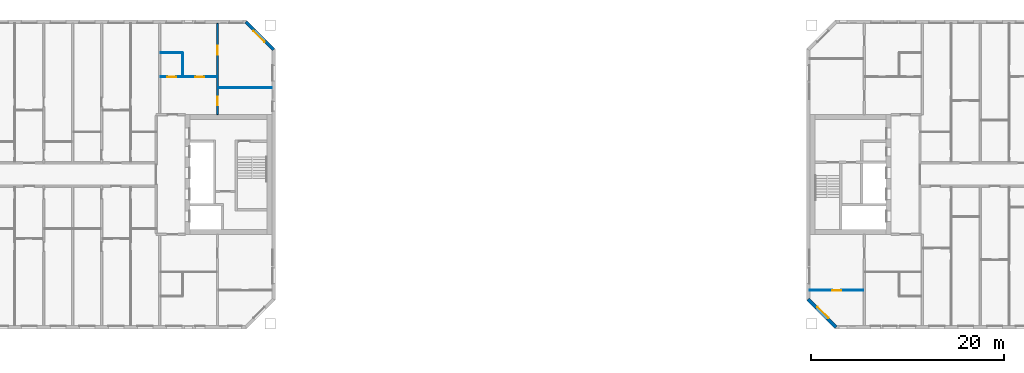
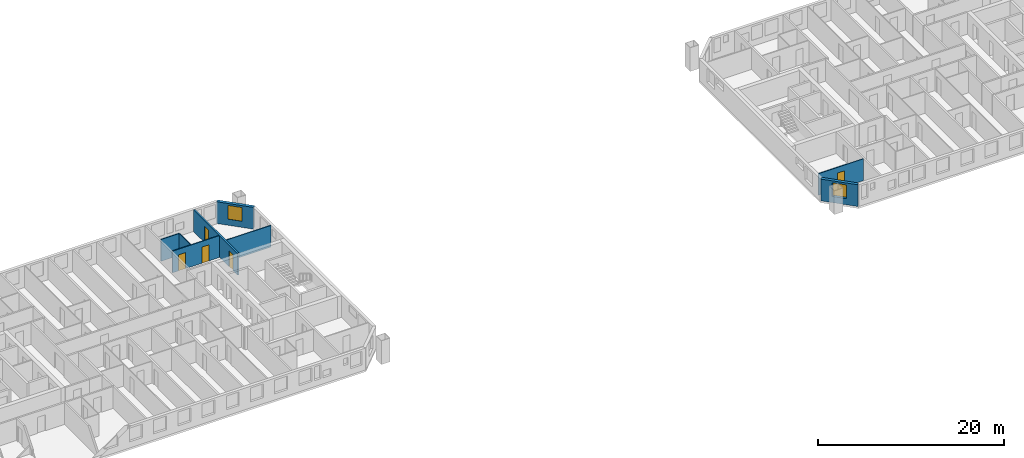
# One storey, part 8 of 16: 8 walls, 5 doors, 2 windows, 7 openings.
"""IFC4 building model written with IfcOpenShell, lengths in metres."""

import ifcopenshell
import ifcopenshell.guid

model = None  # the IFC model being written
_history = None  # IfcOwnerHistory: only IFC2X3 demands one
_inside = {}  # id of a spatial element -> (the spatial element, [elements in it])
_under = {}  # id of a project, library or spatial element -> (it, [spatial elements below it])
_declared = {}  # id of a project -> (the project, [libraries it declares])
_typed = {}  # id of a type object -> (the type object, [elements of that type])
_made_of = {}  # id of a material, layer set ... -> (it, [elements and type objects made of it])


def new_model(schema):
    """Start an empty IFC model of exactly this schema.

    Asked for "IFC4X3", IfcOpenShell would pick the latest addendum, in which some entities
    have other attributes; the version numbers below select the first issue.
    IFC2X3 requires an IfcOwnerHistory on every rooted entity: one is made here for all.
    """
    global model, _history
    if schema == "IFC4X3":
        model = ifcopenshell.file(schema_version=(4, 3, 0, 0))
    else:
        model = ifcopenshell.file(schema=schema)
    _inside.clear()
    _under.clear()
    _declared.clear()
    _typed.clear()
    _made_of.clear()
    _history = None
    if model.schema == "IFC2X3":
        org = make("IfcOrganization", Name="unknown")
        user = make(
            "IfcPersonAndOrganization",
            ThePerson=make("IfcPerson", FamilyName="unknown"),
            TheOrganization=org,
        )
        app = make(
            "IfcApplication",
            ApplicationDeveloper=org,
            Version="unknown",
            ApplicationFullName="unknown",
            ApplicationIdentifier="unknown",
        )
        _history = make(
            "IfcOwnerHistory",
            OwningUser=user,
            OwningApplication=app,
            ChangeAction="ADDED",
            CreationDate=0,
        )
    return model


def make(cls, **values):
    """One entity of the class cls with the attributes given. An attribute that is None is left unset."""
    return model.create_entity(
        cls, **{name: value for name, value in values.items() if value is not None}
    )


def rooted(cls, **values):
    """An entity with a GlobalId (a new one), such as an element, a storey or a relation."""
    return make(cls, GlobalId=ifcopenshell.guid.new(), OwnerHistory=_history, **values)


def si_unit(unit_type, name, prefix=None):
    """IfcSIUnit, for example si_unit("LENGTHUNIT", "METRE", prefix="MILLI")."""
    return make("IfcSIUnit", UnitType=unit_type, Prefix=prefix, Name=name)


def assignment(units):
    """IfcUnitAssignment: the units of a project."""
    return None if units is None else make("IfcUnitAssignment", Units=units)


def point(xyz):
    """IfcCartesianPoint."""
    return None if xyz is None else make("IfcCartesianPoint", Coordinates=xyz)


def direction(xyz):
    """IfcDirection."""
    return None if xyz is None else make("IfcDirection", DirectionRatios=xyz)


def frame(location, z_axis=None, x_axis=None):
    """IfcAxis2Placement3D, a coordinate frame: its origin and axes. An axis left out is left unset."""
    return make(
        "IfcAxis2Placement3D",
        Location=point(location),
        Axis=direction(z_axis),
        RefDirection=direction(x_axis),
    )


def frame_2d(location, x_axis=None):
    """IfcAxis2Placement2D, a coordinate frame in the plane: its origin and x axis."""
    return make(
        "IfcAxis2Placement2D", Location=point(location), RefDirection=direction(x_axis)
    )


def origin():
    """The frame at (0, 0, 0) with its axes left unset."""
    return frame((0.0, 0.0, 0.0))


def place(relative_to, where):
    """IfcLocalPlacement: puts the frame where relative to a parent placement (None: the world)."""
    return make(
        "IfcLocalPlacement", PlacementRelTo=relative_to, RelativePlacement=where
    )


def context(
    kind, dimensions, precision=None, world=None, true_north=None, identifier=None
):
    """IfcGeometricRepresentationContext, for example the 3D "Model" context."""
    return make(
        "IfcGeometricRepresentationContext",
        ContextIdentifier=identifier,
        ContextType=kind,
        CoordinateSpaceDimension=dimensions,
        Precision=precision,
        WorldCoordinateSystem=world,
        TrueNorth=true_north,
    )


def subcontext(parent, identifier, kind, view, scale=None):
    """IfcGeometricRepresentationSubContext, for example "Body" below "Model"."""
    return make(
        "IfcGeometricRepresentationSubContext",
        ContextIdentifier=identifier,
        ContextType=kind,
        ParentContext=parent,
        TargetScale=scale,
        TargetView=view,
    )


def project(units=None, contexts=None):
    """IfcProject with its units and contexts."""
    return rooted(
        "IfcProject",
        Name="project",
        RepresentationContexts=contexts,
        UnitsInContext=assignment(units),
    )


def spatial(cls, under=None, at=None, **own):
    """A site, building, storey or space (cls), placed at a placement, below another one or the project."""
    s = rooted(cls, ObjectPlacement=at, **own)
    if under is not None:
        _under.setdefault(under.id(), (under, []))[1].append(s)
    return s


def profile(cls, at=None, kind="AREA", **sizes):
    """A parametric profile (cls). Its sizes go by their IFC names, for example OverallWidth=200.0."""
    return make(cls, ProfileType=kind, Position=at, **sizes)


def rectangle(**sizes):
    """IfcRectangleProfileDef."""
    return profile("IfcRectangleProfileDef", **sizes)


def extrude(swept, where, along, depth):
    """IfcExtrudedAreaSolid: the profile swept, set in the frame where, extruded along a direction by depth."""
    return make(
        "IfcExtrudedAreaSolid",
        SweptArea=swept,
        Position=where,
        ExtrudedDirection=direction(along),
        Depth=depth,
    )


def shape(context_of_items, identifier, shape_type, items):
    """IfcShapeRepresentation: the items that make up one representation, for example the "Body"."""
    return make(
        "IfcShapeRepresentation",
        ContextOfItems=context_of_items,
        RepresentationIdentifier=identifier,
        RepresentationType=shape_type,
        Items=items,
    )


def material(Name=None, Category=None):
    """IfcMaterial."""
    return make("IfcMaterial", Name=Name, Category=Category)


def layer(
    of_material, thickness, ventilated=None, Name=None, Category=None, Priority=None
):
    """IfcMaterialLayer: one layer of a wall or slab, of a material (None: an air gap)."""
    return make(
        "IfcMaterialLayer",
        Material=of_material,
        LayerThickness=thickness,
        IsVentilated=ventilated,
        Name=Name,
        Category=Category,
        Priority=Priority,
    )


def layer_set(layers, Name=None):
    """IfcMaterialLayerSet."""
    return make("IfcMaterialLayerSet", MaterialLayers=layers, LayerSetName=Name)


def made_of(thing, what):
    """Note that an element or type object is made of a material, layer set ...; save() writes the relation."""
    if what is not None:
        _made_of.setdefault(what.id(), (what, []))[1].append(thing)
    return thing


def type_object(cls, material=None, **own):
    """A type object (cls), such as IfcWallType, which elements share."""
    return made_of(rooted(cls, **own), material)


def element(
    cls,
    number,
    at=None,
    inside=None,
    cuts=None,
    type_object=None,
    material=None,
    context=None,
    identifier="Body",
    shape_type=None,
    held_by="IfcProductDefinitionShape",
    body=None,
    shapes=None,
    **own,
):
    """One element of the class cls, such as IfcWall. Its Tag is "e" and its number.

    at: its placement. inside: the storey or other place that contains it. cuts: it is an
    opening in that element (IfcRelVoidsElement). A single representation is given by context,
    identifier, shape_type and body (its items); several are given by shapes. held_by: the class
    of the entity that holds the representations. save() writes the other relations.
    """
    e = rooted(cls, Tag="e%d" % number, ObjectPlacement=at, **own)
    if body is not None:
        shapes = [shape(context, identifier, shape_type, body)]
    if shapes is not None:
        e.Representation = make(held_by, Representations=shapes)
    if inside is not None:
        _inside.setdefault(inside.id(), (inside, []))[1].append(e)
    if cuts is not None:
        rooted(
            "IfcRelVoidsElement", RelatingBuildingElement=cuts, RelatedOpeningElement=e
        )
    if type_object is not None:
        _typed.setdefault(type_object.id(), (type_object, []))[1].append(e)
    return made_of(e, material)


def fill(opening, filler):
    """IfcRelFillsElement: the door or window that sits in an opening."""
    return rooted(
        "IfcRelFillsElement",
        RelatingOpeningElement=opening,
        RelatedBuildingElement=filler,
    )


def aggregate(whole, parts):
    """IfcRelAggregates: a whole, such as a stair, and the parts it consists of."""
    return rooted("IfcRelAggregates", RelatingObject=whole, RelatedObjects=parts)


def save(model, path):
    """Write the relations noted so far, then the file.

    IfcRelAggregates (storeys below a building ...), IfcRelContainedInSpatialStructure (elements
    in a storey), IfcRelDefinesByType, IfcRelAssociatesMaterial and IfcRelDeclares: one each for
    every whole, place, type object, material and project.
    """
    for whole, parts in _under.values():
        aggregate(whole, parts)
    for where, things in _inside.values():
        rooted(
            "IfcRelContainedInSpatialStructure",
            RelatedElements=things,
            RelatingStructure=where,
        )
    for kind, things in _typed.values():
        rooted("IfcRelDefinesByType", RelatedObjects=things, RelatingType=kind)
    for what, things in _made_of.values():
        rooted("IfcRelAssociatesMaterial", RelatedObjects=things, RelatingMaterial=what)
    for by, libraries in _declared.values():
        rooted("IfcRelDeclares", RelatingContext=by, RelatedDefinitions=libraries)
    model.write(path)


model = new_model("IFC4")

# Units and contexts
model_context = context("Model", 3, precision=1e-05, world=origin(), true_north=direction((0.0, 1.0)))
body_context = subcontext(model_context, "Body", "Model", "MODEL_VIEW")
ifc_project = project(units=[si_unit("LENGTHUNIT", "METRE"), si_unit("AREAUNIT", "SQUARE_METRE"), si_unit("VOLUMEUNIT", "CUBIC_METRE"), si_unit("PLANEANGLEUNIT", "RADIAN"), si_unit("MASSUNIT", "GRAM", prefix="KILO")], contexts=[model_context])

# Site, building, storey
site_placement = place(None, origin())
site = spatial("IfcSite", under=ifc_project, at=site_placement, CompositionType="ELEMENT")
building_placement = place(site_placement, origin())
building = spatial("IfcBuilding", under=site, at=building_placement, Name="Tuart Gate Housing", CompositionType="ELEMENT")
storey_placement = place(building_placement, frame((0.0, 0.0, 151.60009765625)))
storey = spatial("IfcBuildingStorey", under=building, at=storey_placement, Name="L42", CompositionType="ELEMENT", Elevation=151.60009765625)

# Wall, opening, window
ifc_material_1 = material(Name="Brick", Category="masonry")
ifc_layer_1 = layer(ifc_material_1, 0.360107421875)
ifc_layer_set_1 = layer_set([ifc_layer_1], Name="Brick pier and spandrel wall 360")
wall_type_1 = type_object("IfcWallType", Name="Brick pier and spandrel wall 360", PredefinedType="STANDARD", material=ifc_layer_set_1)
wall_1_placement = place(storey_placement, frame((75.820068359375, 82.92529296875, 0.0), z_axis=(0.0, 0.0, 1.0), x_axis=(-0.707106781187, 0.707106781187, 0.0)))
wall_1 = element("IfcWall", 1, at=wall_1_placement, inside=storey, type_object=wall_type_1, Name="External wall A-NE L42", PredefinedType="STANDARD", context=body_context, shape_type="SweptSolid", body=[
    extrude(rectangle(XDim=4.09375, YDim=0.360107421875, at=frame_2d((2.046875, 0.0))), origin(), (0.0, 0.0, 1.0), 2.849853515625),
])
opening_1_placement = place(wall_1_placement, frame((1.2470703125, 0.0, 0.800048828125)))
opening_1 = element("IfcOpeningElement", 2, at=opening_1_placement, cuts=wall_1, Name="Opening W1", PredefinedType="OPENING", context=body_context, shape_type="SweptSolid", body=[
    extrude(rectangle(XDim=1.60009765625, YDim=1.800048828125, at=frame_2d((0.800048828125, 0.89990234375))), frame((0.0, 0.18994140625, 0.0), z_axis=(0.0, -1.0, 0.0), x_axis=(1.0, 0.0, 0.0)), (0.0, 0.0, 1.0), 0.380126953125),
])
ifc_material_2 = material(Name="Aluminium frame with clear glass", Category="aluminium")
window_type = type_object("IfcWindowType", Name="Punched window 1600 x 1800", PartitioningType="SINGLE_PANEL", PredefinedType="WINDOW", material=ifc_material_2)
window_1_placement = place(opening_1_placement, origin())
window_1 = element("IfcWindow", 3, at=window_1_placement, inside=storey, type_object=window_type, Name="Window W1", OverallHeight=1.800048828125, OverallWidth=1.60009765625, PartitioningType="SINGLE_PANEL", PredefinedType="WINDOW", context=body_context, shape_type="SweptSolid", body=[
    extrude(rectangle(XDim=1.60009765625, YDim=1.800048828125, at=frame_2d((0.800048828125, 0.89990234375))), frame((0.0, 0.150146484375, 0.0), z_axis=(0.0, -1.0, 0.0), x_axis=(1.0, 0.0, 0.0)), (0.0, 0.0, 1.0), 0.06005859375),
])
fill(opening_1, window_1)

wall_2_placement = place(storey_placement, frame((131.179931640625, 57.07470703125, 0.0), z_axis=(0.0, 0.0, 1.0), x_axis=(0.707106781187, -0.707106781187, 0.0)))
wall_2 = element("IfcWall", 4, at=wall_2_placement, inside=storey, type_object=wall_type_1, Name="External wall B-SW L42", PredefinedType="STANDARD", context=body_context, shape_type="SweptSolid", body=[
    extrude(rectangle(XDim=4.09375, YDim=0.360107421875, at=frame_2d((2.046875, 0.0))), origin(), (0.0, 0.0, 1.0), 2.849853515625),
])
opening_2_placement = place(wall_2_placement, frame((1.2470703125, 0.0, 0.800048828125)))
opening_2 = element("IfcOpeningElement", 5, at=opening_2_placement, cuts=wall_2, Name="Opening W1", PredefinedType="OPENING", context=body_context, shape_type="SweptSolid", body=[
    extrude(rectangle(XDim=1.60009765625, YDim=1.800048828125, at=frame_2d((0.800048828125, 0.89990234375))), frame((0.0, 0.18994140625, 0.0), z_axis=(0.0, -1.0, 0.0), x_axis=(1.0, 0.0, 0.0)), (0.0, 0.0, 1.0), 0.380126953125),
])
window_2_placement = place(opening_2_placement, origin())
window_2 = element("IfcWindow", 6, at=window_2_placement, inside=storey, type_object=window_type, Name="Window W1", OverallHeight=1.800048828125, OverallWidth=1.60009765625, PartitioningType="SINGLE_PANEL", PredefinedType="WINDOW", context=body_context, shape_type="SweptSolid", body=[
    extrude(rectangle(XDim=1.60009765625, YDim=1.800048828125, at=frame_2d((0.800048828125, 0.89990234375))), frame((0.0, 0.150146484375, 0.0), z_axis=(0.0, -1.0, 0.0), x_axis=(1.0, 0.0, 0.0)), (0.0, 0.0, 1.0), 0.06005859375),
])
fill(opening_2, window_2)

# Wall, opening, door
ifc_material_3 = material(Name="Gypsum board on steel studs", Category="steel")
ifc_layer_2 = layer(ifc_material_3, 0.10009765625)
ifc_layer_set_2 = layer_set([ifc_layer_2], Name="Partition 100")
wall_type_2 = type_object("IfcWallType", Name="Partition 100", PredefinedType="PARTITIONING", material=ifc_layer_set_2)
wall_3_placement = place(storey_placement, frame((131.360107421875, 58.0, 0.0), z_axis=(0.0, 0.0, 1.0), x_axis=(1.0, 0.0, 0.0)))
wall_3 = element("IfcWall", 7, at=wall_3_placement, inside=storey, type_object=wall_type_2, Name="Partition 100", PredefinedType="PARTITIONING", context=body_context, shape_type="SweptSolid", body=[
    extrude(rectangle(XDim=5.539794921875, YDim=0.10009765625, at=frame_2d((2.77001953125, 0.0))), origin(), (0.0, 0.0, 1.0), 2.849853515625),
])
opening_3_placement = place(wall_3_placement, frame((2.320068359375, 0.0, 0.0)))
opening_3 = element("IfcOpeningElement", 8, at=opening_3_placement, cuts=wall_3, Name="Opening D1620", PredefinedType="OPENING", context=body_context, shape_type="SweptSolid", body=[
    extrude(rectangle(XDim=0.89990234375, YDim=2.10009765625, at=frame_2d((0.449951171875, 1.050048828125))), frame((0.0, 0.06005859375, 0.0), z_axis=(0.0, -1.0, 0.0), x_axis=(1.0, 0.0, 0.0)), (0.0, 0.0, 1.0), 0.1201171875),
])
ifc_material_4 = material(Name="Timber door leaf in steel frame", Category="steel")
door_type_1 = type_object("IfcDoorType", Name="Internal door 900 RH", OperationType="SINGLE_SWING_RIGHT", PredefinedType="DOOR", material=ifc_material_4)
door_1_placement = place(opening_3_placement, frame((0.89990234375, 0.0, 0.0), z_axis=(0.0, 0.0, 1.0), x_axis=(-1.0, 0.0, 0.0)))
door_1 = element("IfcDoor", 9, at=door_1_placement, inside=storey, type_object=door_type_1, Name="Internal door", OperationType="SINGLE_SWING_RIGHT", OverallHeight=2.10009765625, OverallWidth=0.89990234375, PredefinedType="DOOR", context=body_context, shape_type="SweptSolid", body=[
    extrude(rectangle(XDim=0.89990234375, YDim=2.10009765625, at=frame_2d((0.449951171875, 1.050048828125))), frame((0.0, 0.025146484375, 0.0), z_axis=(0.0, -1.0, 0.0), x_axis=(1.0, 0.0, 0.0)), (0.0, 0.0, 1.0), 0.050048828125),
])
fill(opening_3, door_1)

# Wall
wall_4_placement = place(storey_placement, frame((70.10009765625, 79.0, 0.0), z_axis=(0.0, 0.0, 1.0), x_axis=(1.0, 0.0, 0.0)))
element("IfcWall", 10, at=wall_4_placement, inside=storey, type_object=wall_type_2, Name="Partition 100", PredefinedType="PARTITIONING", context=body_context, shape_type="SweptSolid", body=[
    extrude(rectangle(XDim=5.539794921875, YDim=0.10009765625, at=frame_2d((2.77001953125, 0.0))), origin(), (0.0, 0.0, 1.0), 2.849853515625),
])

# Wall, openings, doors
wall_5_placement = place(storey_placement, frame((64.10009765625, 80.10009765625, 0.0), z_axis=(0.0, 0.0, 1.0), x_axis=(1.0, 0.0, 0.0)))
wall_5 = element("IfcWall", 11, at=wall_5_placement, inside=storey, type_object=wall_type_2, Name="Partition 100", PredefinedType="PARTITIONING", context=body_context, shape_type="SweptSolid", body=[
    extrude(rectangle(XDim=5.7998046875, YDim=0.10009765625, at=frame_2d((2.89990234375, 0.0))), origin(), (0.0, 0.0, 1.0), 2.849853515625),
])
opening_4_placement = place(wall_5_placement, frame((3.60009765625, 0.0, 0.0)))
opening_4 = element("IfcOpeningElement", 12, at=opening_4_placement, cuts=wall_5, Name="Opening D1522", PredefinedType="OPENING", context=body_context, shape_type="SweptSolid", body=[
    extrude(rectangle(XDim=0.89990234375, YDim=2.10009765625, at=frame_2d((0.449951171875, 1.050048828125))), frame((0.0, 0.06005859375, 0.0), z_axis=(0.0, -1.0, 0.0), x_axis=(1.0, 0.0, 0.0)), (0.0, 0.0, 1.0), 0.1201171875),
])
opening_5_placement = place(wall_5_placement, frame((0.699951171875, 0.0, 0.0)))
opening_5 = element("IfcOpeningElement", 13, at=opening_5_placement, cuts=wall_5, Name="Opening D1521", PredefinedType="OPENING", context=body_context, shape_type="SweptSolid", body=[
    extrude(rectangle(XDim=0.89990234375, YDim=2.10009765625, at=frame_2d((0.449951171875, 1.050048828125))), frame((0.0, 0.06005859375, 0.0), z_axis=(0.0, -1.0, 0.0), x_axis=(1.0, 0.0, 0.0)), (0.0, 0.0, 1.0), 0.1201171875),
])
ifc_material_5 = material(Name="Timber door leaf in steel frame", Category="steel")
door_type_2 = type_object("IfcDoorType", Name="Bathroom door 900 RH", OperationType="SINGLE_SWING_RIGHT", PredefinedType="DOOR", material=ifc_material_5)
door_2_placement = place(opening_5_placement, origin())
door_2 = element("IfcDoor", 14, at=door_2_placement, inside=storey, type_object=door_type_2, Name="Bathroom door", OperationType="SINGLE_SWING_RIGHT", OverallHeight=2.10009765625, OverallWidth=0.89990234375, PredefinedType="DOOR", context=body_context, shape_type="SweptSolid", body=[
    extrude(rectangle(XDim=0.89990234375, YDim=2.10009765625, at=frame_2d((0.449951171875, 1.050048828125))), frame((0.0, 0.02490234375, 0.0), z_axis=(0.0, -1.0, 0.0), x_axis=(1.0, 0.0, 0.0)), (0.0, 0.0, 1.0), 0.050048828125),
])
fill(opening_5, door_2)
ifc_material_6 = material(Name="Timber door leaf in steel frame", Category="steel")
door_type_3 = type_object("IfcDoorType", Name="Internal door 900", OperationType="SINGLE_SWING_LEFT", PredefinedType="DOOR", material=ifc_material_6)
door_3_placement = place(opening_4_placement, frame((0.89990234375, 0.0, 0.0), z_axis=(0.0, 0.0, 1.0), x_axis=(-1.0, 0.0, 0.0)))
door_3 = element("IfcDoor", 15, at=door_3_placement, inside=storey, type_object=door_type_3, Name="Internal door", OperationType="SINGLE_SWING_LEFT", OverallHeight=2.10009765625, OverallWidth=0.89990234375, PredefinedType="DOOR", context=body_context, shape_type="SweptSolid", body=[
    extrude(rectangle(XDim=0.89990234375, YDim=2.10009765625, at=frame_2d((0.449951171875, 1.050048828125))), frame((0.0, 0.025146484375, 0.0), z_axis=(0.0, -1.0, 0.0), x_axis=(1.0, 0.0, 0.0)), (0.0, 0.0, 1.0), 0.050048828125),
])
fill(opening_4, door_3)

# Walls
wall_6_placement = place(storey_placement, frame((64.10009765625, 82.60009765625, 0.0), z_axis=(0.0, 0.0, 1.0), x_axis=(1.0, 0.0, 0.0)))
element("IfcWall", 16, at=wall_6_placement, inside=storey, type_object=wall_type_2, Name="Partition 100", PredefinedType="PARTITIONING", context=body_context, shape_type="SweptSolid", body=[
    extrude(rectangle(XDim=2.2998046875, YDim=0.10009765625, at=frame_2d((1.14990234375, 0.0))), origin(), (0.0, 0.0, 1.0), 2.849853515625),
])
wall_7_placement = place(storey_placement, frame((66.39990234375, 80.14990234375, 0.0), z_axis=(0.0, 0.0, 1.0), x_axis=(0.0, 1.0, 0.0)))
element("IfcWall", 17, at=wall_7_placement, inside=storey, type_object=wall_type_2, Name="Partition 100", PredefinedType="PARTITIONING", context=body_context, shape_type="SweptSolid", body=[
    extrude(rectangle(XDim=2.400146484375, YDim=0.10009765625, at=frame_2d((1.2001953125, 0.0))), origin(), (0.0, 0.0, 1.0), 2.849853515625),
])

# Wall, openings, doors
ifc_material_7 = material(Name="Concrete C40", Category="concrete")
ifc_layer_3 = layer(ifc_material_7, 0.199951171875)
ifc_layer_set_3 = layer_set([ifc_layer_3], Name="Party wall concrete C40 200")
wall_type_3 = type_object("IfcWallType", Name="Party wall concrete C40 200", PredefinedType="SOLIDWALL", material=ifc_layer_set_3)
wall_8_placement = place(storey_placement, frame((70.0, 76.199951171875, 0.0), z_axis=(0.0, 0.0, 1.0), x_axis=(0.0, 1.0, 0.0)))
wall_8 = element("IfcWall", 18, at=wall_8_placement, inside=storey, type_object=wall_type_3, Name="Party wall concrete C40 200", PredefinedType="SOLIDWALL", context=body_context, shape_type="SweptSolid", body=[
    extrude(rectangle(XDim=9.43994140625, YDim=0.199951171875, at=frame_2d((4.719970703125, 0.0))), origin(), (0.0, 0.0, 1.0), 2.849853515625),
])
opening_6_placement = place(wall_8_placement, frame((6.219970703125, 0.0, 0.0)))
opening_6 = element("IfcOpeningElement", 19, at=opening_6_placement, cuts=wall_8, Name="Opening D1518", PredefinedType="OPENING", context=body_context, shape_type="SweptSolid", body=[
    extrude(rectangle(XDim=0.89990234375, YDim=2.10009765625, at=frame_2d((0.449951171875, 1.050048828125))), frame((0.0, 0.10986328125, 0.0), z_axis=(0.0, -1.0, 0.0), x_axis=(1.0, 0.0, 0.0)), (0.0, 0.0, 1.0), 0.219970703125),
])
opening_7_placement = place(wall_8_placement, frame((0.949951171875, 0.0, 0.0)))
opening_7 = element("IfcOpeningElement", 20, at=opening_7_placement, cuts=wall_8, Name="Opening D1519", PredefinedType="OPENING", context=body_context, shape_type="SweptSolid", body=[
    extrude(rectangle(XDim=0.89990234375, YDim=2.10009765625, at=frame_2d((0.449951171875, 1.050048828125))), frame((0.0, 0.10986328125, 0.0), z_axis=(0.0, -1.0, 0.0), x_axis=(1.0, 0.0, 0.0)), (0.0, 0.0, 1.0), 0.219970703125),
])
door_4_placement = place(opening_6_placement, frame((0.89990234375, 0.0, 0.0), z_axis=(0.0, 0.0, 1.0), x_axis=(-1.0, 0.0, 0.0)))
door_4 = element("IfcDoor", 21, at=door_4_placement, inside=storey, type_object=door_type_3, Name="Internal door", OperationType="SINGLE_SWING_LEFT", OverallHeight=2.10009765625, OverallWidth=0.89990234375, PredefinedType="DOOR", context=body_context, shape_type="SweptSolid", body=[
    extrude(rectangle(XDim=0.89990234375, YDim=2.10009765625, at=frame_2d((0.449951171875, 1.050048828125))), frame((0.0, 0.025146484375, 0.0), z_axis=(0.0, -1.0, 0.0), x_axis=(1.0, 0.0, 0.0)), (0.0, 0.0, 1.0), 0.050048828125),
])
fill(opening_6, door_4)
door_5_placement = place(opening_7_placement, frame((0.89990234375, 0.0, 0.0), z_axis=(0.0, 0.0, 1.0), x_axis=(-1.0, 0.0, 0.0)))
door_5 = element("IfcDoor", 22, at=door_5_placement, inside=storey, type_object=door_type_1, Name="Internal door", OperationType="SINGLE_SWING_RIGHT", OverallHeight=2.10009765625, OverallWidth=0.89990234375, PredefinedType="DOOR", context=body_context, shape_type="SweptSolid", body=[
    extrude(rectangle(XDim=0.89990234375, YDim=2.10009765625, at=frame_2d((0.449951171875, 1.050048828125))), frame((0.0, 0.025146484375, 0.0), z_axis=(0.0, -1.0, 0.0), x_axis=(1.0, 0.0, 0.0)), (0.0, 0.0, 1.0), 0.050048828125),
])
fill(opening_7, door_5)

save(model, "model.ifc")
